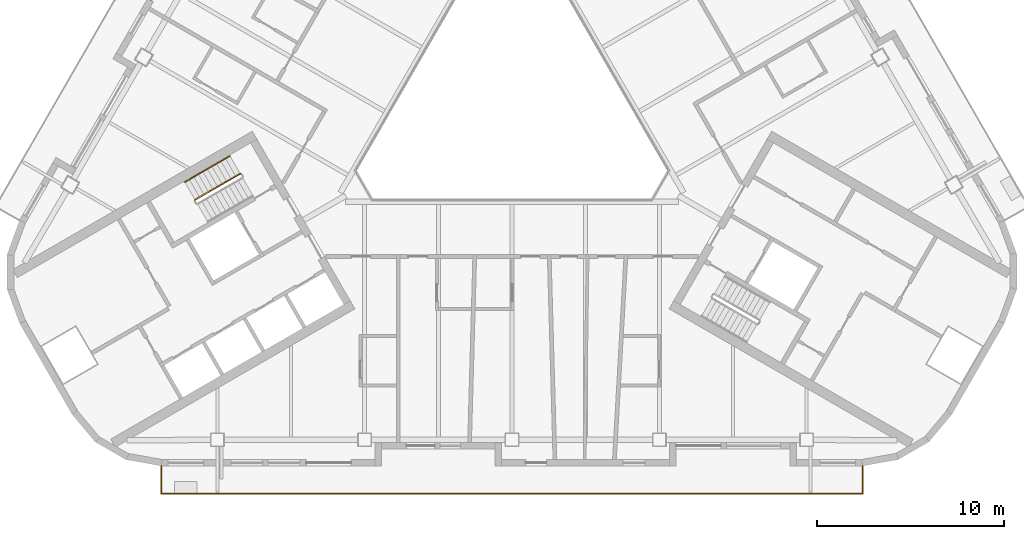
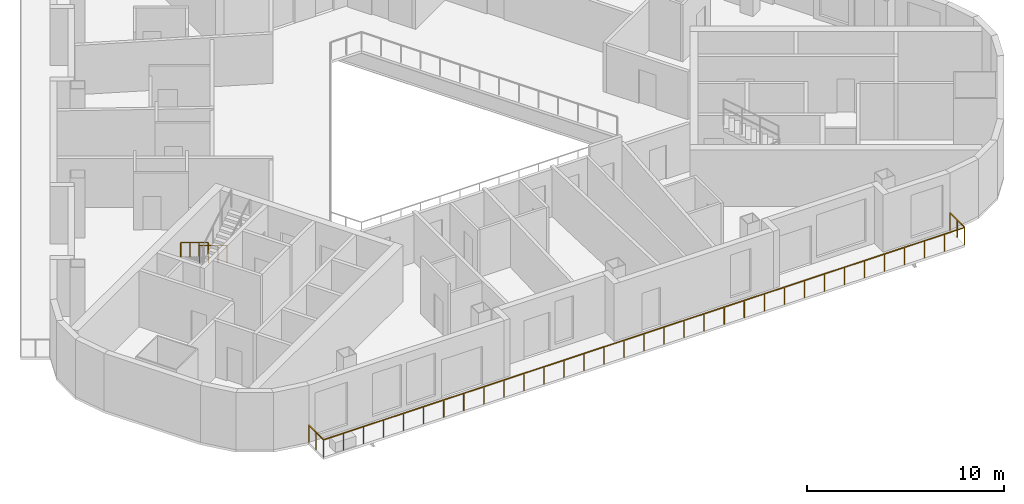
# One storey, part 10 of 14: 3 railings.
"""IFC4 building model written with IfcOpenShell, lengths in metres."""

from ifc_helpers import new_model, si_unit, direction, frame, origin, origin_2d, place, context, subcontext, project, spatial, rectangle, circle, extrude, material, type_object, element, save


model = new_model("IFC4")

# Units and contexts
model_context = context("Model", 3, precision=1e-05, world=origin(), true_north=direction((0.0, 1.0)))
body_context = subcontext(model_context, "Body", "Model", "MODEL_VIEW")
ifc_project = project(units=[si_unit("LENGTHUNIT", "METRE"), si_unit("AREAUNIT", "SQUARE_METRE"), si_unit("VOLUMEUNIT", "CUBIC_METRE"), si_unit("PLANEANGLEUNIT", "RADIAN"), si_unit("MASSUNIT", "GRAM", prefix="KILO")], contexts=[model_context])

# Site, building, storey
site_placement = place(None, origin())
site = spatial("IfcSite", under=ifc_project, at=site_placement, CompositionType="ELEMENT")
building_placement = place(site_placement, origin())
building = spatial("IfcBuilding", under=site, at=building_placement, Name="Apuvela Tower Hotel", CompositionType="ELEMENT")
storey_placement = place(building_placement, frame((0.0, 0.0, 220.60009765625)))
storey = spatial("IfcBuildingStorey", under=building, at=storey_placement, Name="L54", CompositionType="ELEMENT", Elevation=220.60009765625)

# Railings
ifc_material_1 = material(Name="Steel S275 balustrade", Category="steel")
railing_type_1 = type_object("IfcRailingType", Name="COR-GUARD-1100", PredefinedType="GUARDRAIL", material=ifc_material_1)
railing_1_placement = place(storey_placement, frame((-14.569091796875, -3.9658203125, 0.16796875)))
element("IfcRailing", 1, at=railing_1_placement, inside=storey, type_object=railing_type_1, Name="L54 ST2 stair guard 1", PredefinedType="GUARDRAIL", context=body_context, shape_type="SweptSolid", body=[
    extrude(rectangle(XDim=0.048095703125, YDim=0.048095703125, at=origin_2d()), frame((0.0, 0.0, 1.076171875), z_axis=(-0.742390482028, -0.42860119049, 0.514934356695), x_axis=(0.49998411664, -0.866034573852, 0.0)), (0.0, 0.0, 1.0), 3.26611328125),
    extrude(rectangle(XDim=0.0419921875, YDim=0.0419921875, at=origin_2d()), origin(), (0.0, 0.0, 1.0), 1.052001953125),
    extrude(rectangle(XDim=0.0419921875, YDim=0.0419921875, at=origin_2d()), frame((-0.808349609375, -0.466552734375, 0.560546875)), (0.0, 0.0, 1.0), 1.052001953125),
    extrude(rectangle(XDim=0.0419921875, YDim=0.0419921875, at=origin_2d()), frame((-1.616455078125, -0.933349609375, 1.121337890625)), (0.0, 0.0, 1.0), 1.052001953125),
    extrude(rectangle(XDim=0.0419921875, YDim=0.0419921875, at=origin_2d()), frame((-2.4248046875, -1.39990234375, 1.681884765625)), (0.0, 0.0, 1.0), 1.052001953125),
])
ifc_material_2 = material(Name="Stainless steel 316 handrail", Category="steel")
railing_type_2 = type_object("IfcRailingType", Name="COR-HANDRAIL-900", PredefinedType="HANDRAIL", material=ifc_material_2)
railing_2_placement = place(storey_placement, frame((-15.118896484375, -3.01318359375, 0.16796875)))
element("IfcRailing", 2, at=railing_2_placement, inside=storey, type_object=railing_type_2, Name="L54 ST2 stair handrail 1", PredefinedType="HANDRAIL", context=body_context, shape_type="SweptSolid", body=[
    extrude(circle(Radius=0.02392578125, at=origin_2d()), frame((0.0, 0.0, 0.8759765625), z_axis=(-0.742424030051, -0.428577407461, 0.514905783049), x_axis=(0.49994636267, -0.866056369097, 0.0)), (0.0, 0.0, 1.0), 3.266357421875),
    extrude(rectangle(XDim=0.0419921875, YDim=0.0419921875, at=origin_2d()), origin(), (0.0, 0.0, 1.0), 0.851806640625),
    extrude(rectangle(XDim=0.0419921875, YDim=0.0419921875, at=origin_2d()), frame((-0.808349609375, -0.466552734375, 0.560546875)), (0.0, 0.0, 1.0), 0.851806640625),
    extrude(rectangle(XDim=0.0419921875, YDim=0.0419921875, at=origin_2d()), frame((-1.61669921875, -0.933349609375, 1.121337890625)), (0.0, 0.0, 1.0), 0.851806640625),
    extrude(rectangle(XDim=0.0419921875, YDim=0.0419921875, at=origin_2d()), frame((-2.425048828125, -1.39990234375, 1.681884765625)), (0.0, 0.0, 1.0), 0.851806640625),
])
ifc_material_3 = material(Name="Stainless steel 316 rail with laminated glass infill", Category="steel")
railing_type_3 = type_object("IfcRailingType", Name="ENV-GUARD-1100", PredefinedType="GUARDRAIL", material=ifc_material_3)
railing_3_placement = place(storey_placement, frame((-18.81591796875, -19.6298828125, 0.0)))
element("IfcRailing", 3, at=railing_3_placement, inside=storey, type_object=railing_type_3, Name="Balcony guard S L54", PredefinedType="GUARDRAIL", context=body_context, shape_type="SweptSolid", body=[
    extrude(rectangle(XDim=0.050048828125, YDim=0.050048828125, at=origin_2d()), frame((0.0, 0.0, 1.0751953125), z_axis=(0.0, -1.0, 0.0), x_axis=(1.0, 0.0, 0.0)), (0.0, 0.0, 1.0), 1.5),
    extrude(rectangle(XDim=0.050048828125, YDim=0.050048828125, at=origin_2d()), frame((0.0, -1.5, 1.0751953125), z_axis=(1.0, 0.0, 0.0), x_axis=(0.0, 1.0, 0.0)), (0.0, 0.0, 1.0), 37.6318359375),
    extrude(rectangle(XDim=0.050048828125, YDim=0.050048828125, at=origin_2d()), frame((37.6318359375, -1.5, 1.0751953125), z_axis=(0.0, 1.0, 0.0), x_axis=(-1.0, 0.0, 0.0)), (0.0, 0.0, 1.0), 1.5),
    extrude(rectangle(XDim=0.0400390625, YDim=0.0400390625, at=origin_2d()), origin(), (0.0, 0.0, 1.0), 1.050048828125),
    extrude(rectangle(XDim=0.0400390625, YDim=0.0400390625, at=origin_2d()), frame((0.0, -0.75, 0.0)), (0.0, 0.0, 1.0), 1.050048828125),
    extrude(rectangle(XDim=0.0400390625, YDim=0.0400390625, at=origin_2d()), frame((0.0, -1.5, 0.0)), (0.0, 0.0, 1.0), 1.050048828125),
    extrude(rectangle(XDim=0.0400390625, YDim=0.0400390625, at=origin_2d()), frame((1.176025390625, -1.5, 0.0)), (0.0, 0.0, 1.0), 1.050048828125),
    extrude(rectangle(XDim=0.0400390625, YDim=0.0400390625, at=origin_2d()), frame((2.35205078125, -1.5, 0.0)), (0.0, 0.0, 1.0), 1.050048828125),
    extrude(rectangle(XDim=0.0400390625, YDim=0.0400390625, at=origin_2d()), frame((3.528076171875, -1.5, 0.0)), (0.0, 0.0, 1.0), 1.050048828125),
    extrude(rectangle(XDim=0.0400390625, YDim=0.0400390625, at=origin_2d()), frame((4.7041015625, -1.5, 0.0)), (0.0, 0.0, 1.0), 1.050048828125),
    extrude(rectangle(XDim=0.0400390625, YDim=0.0400390625, at=origin_2d()), frame((5.8798828125, -1.5, 0.0)), (0.0, 0.0, 1.0), 1.050048828125),
    extrude(rectangle(XDim=0.0400390625, YDim=0.0400390625, at=origin_2d()), frame((7.055908203125, -1.5, 0.0)), (0.0, 0.0, 1.0), 1.050048828125),
    extrude(rectangle(XDim=0.0400390625, YDim=0.0400390625, at=origin_2d()), frame((8.23193359375, -1.5, 0.0)), (0.0, 0.0, 1.0), 1.050048828125),
    extrude(rectangle(XDim=0.0400390625, YDim=0.0400390625, at=origin_2d()), frame((9.407958984375, -1.5, 0.0)), (0.0, 0.0, 1.0), 1.050048828125),
    extrude(rectangle(XDim=0.0400390625, YDim=0.0400390625, at=origin_2d()), frame((10.583984375, -1.5, 0.0)), (0.0, 0.0, 1.0), 1.050048828125),
    extrude(rectangle(XDim=0.0400390625, YDim=0.0400390625, at=origin_2d()), frame((11.760009765625, -1.5, 0.0)), (0.0, 0.0, 1.0), 1.050048828125),
    extrude(rectangle(XDim=0.0400390625, YDim=0.0400390625, at=origin_2d()), frame((12.93603515625, -1.5, 0.0)), (0.0, 0.0, 1.0), 1.050048828125),
    extrude(rectangle(XDim=0.0400390625, YDim=0.0400390625, at=origin_2d()), frame((14.11181640625, -1.5, 0.0)), (0.0, 0.0, 1.0), 1.050048828125),
    extrude(rectangle(XDim=0.0400390625, YDim=0.0400390625, at=origin_2d()), frame((15.287841796875, -1.5, 0.0)), (0.0, 0.0, 1.0), 1.050048828125),
    extrude(rectangle(XDim=0.0400390625, YDim=0.0400390625, at=origin_2d()), frame((16.4638671875, -1.5, 0.0)), (0.0, 0.0, 1.0), 1.050048828125),
    extrude(rectangle(XDim=0.0400390625, YDim=0.0400390625, at=origin_2d()), frame((17.639892578125, -1.5, 0.0)), (0.0, 0.0, 1.0), 1.050048828125),
    extrude(rectangle(XDim=0.0400390625, YDim=0.0400390625, at=origin_2d()), frame((18.81591796875, -1.5, 0.0)), (0.0, 0.0, 1.0), 1.050048828125),
    extrude(rectangle(XDim=0.0400390625, YDim=0.0400390625, at=origin_2d()), frame((19.991943359375, -1.5, 0.0)), (0.0, 0.0, 1.0), 1.050048828125),
    extrude(rectangle(XDim=0.0400390625, YDim=0.0400390625, at=origin_2d()), frame((21.16796875, -1.5, 0.0)), (0.0, 0.0, 1.0), 1.050048828125),
    extrude(rectangle(XDim=0.0400390625, YDim=0.0400390625, at=origin_2d()), frame((22.343994140625, -1.5, 0.0)), (0.0, 0.0, 1.0), 1.050048828125),
    extrude(rectangle(XDim=0.0400390625, YDim=0.0400390625, at=origin_2d()), frame((23.52001953125, -1.5, 0.0)), (0.0, 0.0, 1.0), 1.050048828125),
    extrude(rectangle(XDim=0.0400390625, YDim=0.0400390625, at=origin_2d()), frame((24.69580078125, -1.5, 0.0)), (0.0, 0.0, 1.0), 1.050048828125),
    extrude(rectangle(XDim=0.0400390625, YDim=0.0400390625, at=origin_2d()), frame((25.871826171875, -1.5, 0.0)), (0.0, 0.0, 1.0), 1.050048828125),
    extrude(rectangle(XDim=0.0400390625, YDim=0.0400390625, at=origin_2d()), frame((27.0478515625, -1.5, 0.0)), (0.0, 0.0, 1.0), 1.050048828125),
    extrude(rectangle(XDim=0.0400390625, YDim=0.0400390625, at=origin_2d()), frame((28.223876953125, -1.5, 0.0)), (0.0, 0.0, 1.0), 1.050048828125),
    extrude(rectangle(XDim=0.0400390625, YDim=0.0400390625, at=origin_2d()), frame((29.39990234375, -1.5, 0.0)), (0.0, 0.0, 1.0), 1.050048828125),
    extrude(rectangle(XDim=0.0400390625, YDim=0.0400390625, at=origin_2d()), frame((30.575927734375, -1.5, 0.0)), (0.0, 0.0, 1.0), 1.050048828125),
    extrude(rectangle(XDim=0.0400390625, YDim=0.0400390625, at=origin_2d()), frame((31.751953125, -1.5, 0.0)), (0.0, 0.0, 1.0), 1.050048828125),
    extrude(rectangle(XDim=0.0400390625, YDim=0.0400390625, at=origin_2d()), frame((32.927734375, -1.5, 0.0)), (0.0, 0.0, 1.0), 1.050048828125),
    extrude(rectangle(XDim=0.0400390625, YDim=0.0400390625, at=origin_2d()), frame((34.103759765625, -1.5, 0.0)), (0.0, 0.0, 1.0), 1.050048828125),
    extrude(rectangle(XDim=0.0400390625, YDim=0.0400390625, at=origin_2d()), frame((35.27978515625, -1.5, 0.0)), (0.0, 0.0, 1.0), 1.050048828125),
    extrude(rectangle(XDim=0.0400390625, YDim=0.0400390625, at=origin_2d()), frame((36.455810546875, -1.5, 0.0)), (0.0, 0.0, 1.0), 1.050048828125),
    extrude(rectangle(XDim=0.0400390625, YDim=0.0400390625, at=origin_2d()), frame((37.6318359375, -1.5, 0.0)), (0.0, 0.0, 1.0), 1.050048828125),
    extrude(rectangle(XDim=0.0400390625, YDim=0.0400390625, at=origin_2d()), frame((37.6318359375, -0.75, 0.0)), (0.0, 0.0, 1.0), 1.050048828125),
    extrude(rectangle(XDim=0.0400390625, YDim=0.0400390625, at=origin_2d()), frame((37.6318359375, 0.0, 0.0)), (0.0, 0.0, 1.0), 1.050048828125),
])

save(model, "model.ifc")
